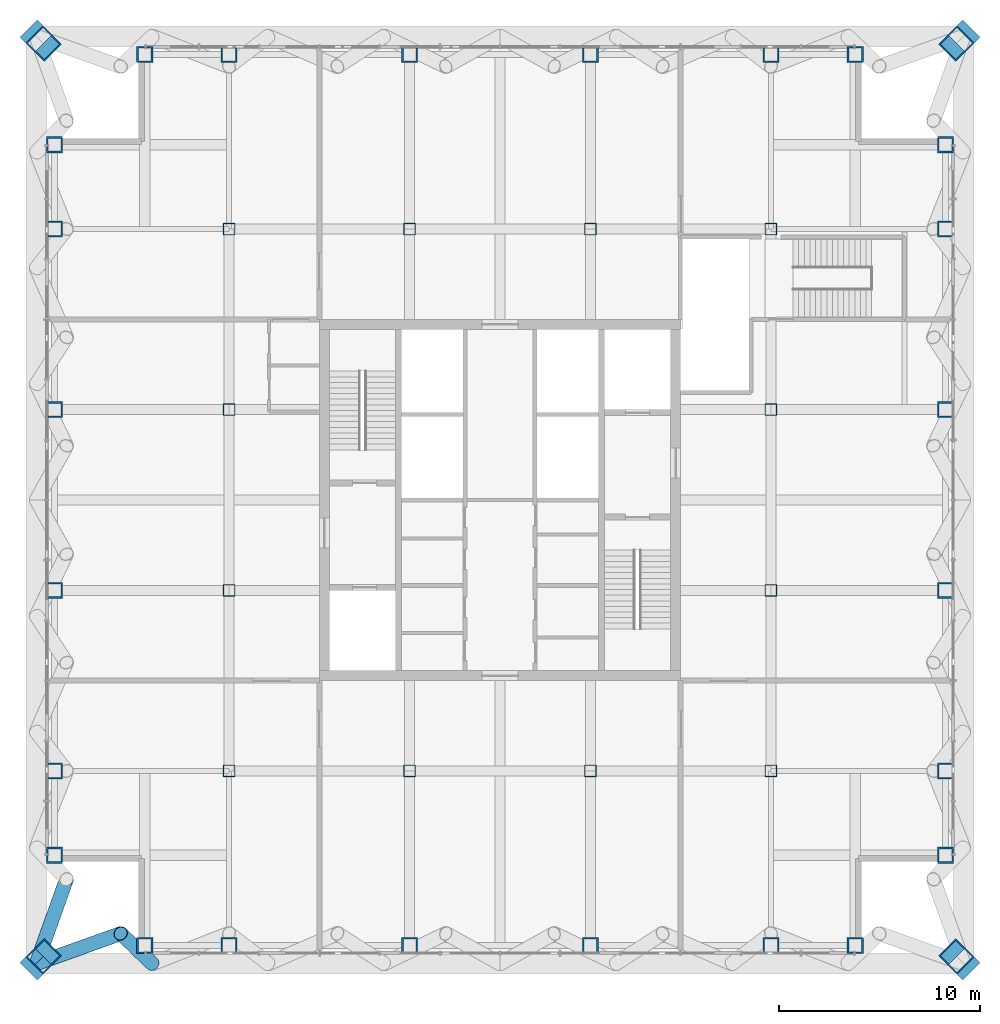
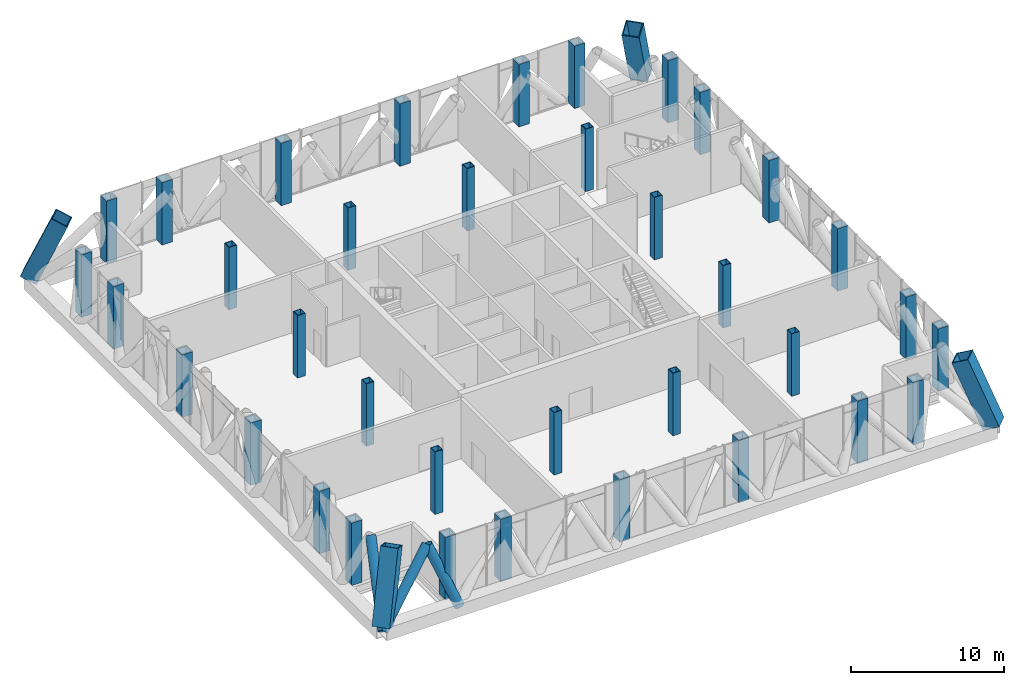
# One storey, part 1 of 27: 40 columns, 3 members.
"""IFC4 building model written with IfcOpenShell, lengths in metres."""

import ifcopenshell
import ifcopenshell.guid

model = None  # the IFC model being written
_history = None  # IfcOwnerHistory: only IFC2X3 demands one
_inside = {}  # id of a spatial element -> (the spatial element, [elements in it])
_under = {}  # id of a project, library or spatial element -> (it, [spatial elements below it])
_declared = {}  # id of a project -> (the project, [libraries it declares])
_typed = {}  # id of a type object -> (the type object, [elements of that type])
_made_of = {}  # id of a material, layer set ... -> (it, [elements and type objects made of it])


def new_model(schema):
    """Start an empty IFC model of exactly this schema.

    Asked for "IFC4X3", IfcOpenShell would pick the latest addendum, in which some entities
    have other attributes; the version numbers below select the first issue.
    IFC2X3 requires an IfcOwnerHistory on every rooted entity: one is made here for all.
    """
    global model, _history
    if schema == "IFC4X3":
        model = ifcopenshell.file(schema_version=(4, 3, 0, 0))
    else:
        model = ifcopenshell.file(schema=schema)
    _inside.clear()
    _under.clear()
    _declared.clear()
    _typed.clear()
    _made_of.clear()
    _history = None
    if model.schema == "IFC2X3":
        org = make("IfcOrganization", Name="unknown")
        user = make(
            "IfcPersonAndOrganization",
            ThePerson=make("IfcPerson", FamilyName="unknown"),
            TheOrganization=org,
        )
        app = make(
            "IfcApplication",
            ApplicationDeveloper=org,
            Version="unknown",
            ApplicationFullName="unknown",
            ApplicationIdentifier="unknown",
        )
        _history = make(
            "IfcOwnerHistory",
            OwningUser=user,
            OwningApplication=app,
            ChangeAction="ADDED",
            CreationDate=0,
        )
    return model


def make(cls, **values):
    """One entity of the class cls with the attributes given. An attribute that is None is left unset."""
    return model.create_entity(
        cls, **{name: value for name, value in values.items() if value is not None}
    )


def rooted(cls, **values):
    """An entity with a GlobalId (a new one), such as an element, a storey or a relation."""
    return make(cls, GlobalId=ifcopenshell.guid.new(), OwnerHistory=_history, **values)


def si_unit(unit_type, name, prefix=None):
    """IfcSIUnit, for example si_unit("LENGTHUNIT", "METRE", prefix="MILLI")."""
    return make("IfcSIUnit", UnitType=unit_type, Prefix=prefix, Name=name)


def assignment(units):
    """IfcUnitAssignment: the units of a project."""
    return None if units is None else make("IfcUnitAssignment", Units=units)


def point(xyz):
    """IfcCartesianPoint."""
    return None if xyz is None else make("IfcCartesianPoint", Coordinates=xyz)


def direction(xyz):
    """IfcDirection."""
    return None if xyz is None else make("IfcDirection", DirectionRatios=xyz)


def frame(location, z_axis=None, x_axis=None):
    """IfcAxis2Placement3D, a coordinate frame: its origin and axes. An axis left out is left unset."""
    return make(
        "IfcAxis2Placement3D",
        Location=point(location),
        Axis=direction(z_axis),
        RefDirection=direction(x_axis),
    )


def frame_2d(location, x_axis=None):
    """IfcAxis2Placement2D, a coordinate frame in the plane: its origin and x axis."""
    return make(
        "IfcAxis2Placement2D", Location=point(location), RefDirection=direction(x_axis)
    )


def origin():
    """The frame at (0, 0, 0) with its axes left unset."""
    return frame((0.0, 0.0, 0.0))


def origin_2d():
    """The frame at (0, 0) in the plane with its x axis left unset."""
    return frame_2d((0.0, 0.0))


def place(relative_to, where):
    """IfcLocalPlacement: puts the frame where relative to a parent placement (None: the world)."""
    return make(
        "IfcLocalPlacement", PlacementRelTo=relative_to, RelativePlacement=where
    )


def context(
    kind, dimensions, precision=None, world=None, true_north=None, identifier=None
):
    """IfcGeometricRepresentationContext, for example the 3D "Model" context."""
    return make(
        "IfcGeometricRepresentationContext",
        ContextIdentifier=identifier,
        ContextType=kind,
        CoordinateSpaceDimension=dimensions,
        Precision=precision,
        WorldCoordinateSystem=world,
        TrueNorth=true_north,
    )


def subcontext(parent, identifier, kind, view, scale=None):
    """IfcGeometricRepresentationSubContext, for example "Body" below "Model"."""
    return make(
        "IfcGeometricRepresentationSubContext",
        ContextIdentifier=identifier,
        ContextType=kind,
        ParentContext=parent,
        TargetScale=scale,
        TargetView=view,
    )


def project(units=None, contexts=None):
    """IfcProject with its units and contexts."""
    return rooted(
        "IfcProject",
        Name="project",
        RepresentationContexts=contexts,
        UnitsInContext=assignment(units),
    )


def spatial(cls, under=None, at=None, **own):
    """A site, building, storey or space (cls), placed at a placement, below another one or the project."""
    s = rooted(cls, ObjectPlacement=at, **own)
    if under is not None:
        _under.setdefault(under.id(), (under, []))[1].append(s)
    return s


def profile(cls, at=None, kind="AREA", **sizes):
    """A parametric profile (cls). Its sizes go by their IFC names, for example OverallWidth=200.0."""
    return make(cls, ProfileType=kind, Position=at, **sizes)


def hollow_rectangle(**sizes):
    """IfcRectangleHollowProfileDef."""
    return profile("IfcRectangleHollowProfileDef", **sizes)


def hollow_circle(**sizes):
    """IfcCircleHollowProfileDef."""
    return profile("IfcCircleHollowProfileDef", **sizes)


def extrude(swept, where, along, depth):
    """IfcExtrudedAreaSolid: the profile swept, set in the frame where, extruded along a direction by depth."""
    return make(
        "IfcExtrudedAreaSolid",
        SweptArea=swept,
        Position=where,
        ExtrudedDirection=direction(along),
        Depth=depth,
    )


def shape(context_of_items, identifier, shape_type, items):
    """IfcShapeRepresentation: the items that make up one representation, for example the "Body"."""
    return make(
        "IfcShapeRepresentation",
        ContextOfItems=context_of_items,
        RepresentationIdentifier=identifier,
        RepresentationType=shape_type,
        Items=items,
    )


def material(Name=None, Category=None):
    """IfcMaterial."""
    return make("IfcMaterial", Name=Name, Category=Category)


def material_profile(
    of_material, cross_section, Name=None, Category=None, Priority=None
):
    """IfcMaterialProfile: a cross section and its material."""
    return make(
        "IfcMaterialProfile",
        Name=Name,
        Material=of_material,
        Profile=cross_section,
        Priority=Priority,
        Category=Category,
    )


def profile_set(profiles, Name=None, composite=None):
    """IfcMaterialProfileSet."""
    return make(
        "IfcMaterialProfileSet",
        Name=Name,
        MaterialProfiles=profiles,
        CompositeProfile=composite,
    )


def made_of(thing, what):
    """Note that an element or type object is made of a material, layer set ...; save() writes the relation."""
    if what is not None:
        _made_of.setdefault(what.id(), (what, []))[1].append(thing)
    return thing


def type_object(cls, material=None, **own):
    """A type object (cls), such as IfcWallType, which elements share."""
    return made_of(rooted(cls, **own), material)


def element(
    cls,
    number,
    at=None,
    inside=None,
    cuts=None,
    type_object=None,
    material=None,
    context=None,
    identifier="Body",
    shape_type=None,
    held_by="IfcProductDefinitionShape",
    body=None,
    shapes=None,
    **own,
):
    """One element of the class cls, such as IfcWall. Its Tag is "e" and its number.

    at: its placement. inside: the storey or other place that contains it. cuts: it is an
    opening in that element (IfcRelVoidsElement). A single representation is given by context,
    identifier, shape_type and body (its items); several are given by shapes. held_by: the class
    of the entity that holds the representations. save() writes the other relations.
    """
    e = rooted(cls, Tag="e%d" % number, ObjectPlacement=at, **own)
    if body is not None:
        shapes = [shape(context, identifier, shape_type, body)]
    if shapes is not None:
        e.Representation = make(held_by, Representations=shapes)
    if inside is not None:
        _inside.setdefault(inside.id(), (inside, []))[1].append(e)
    if cuts is not None:
        rooted(
            "IfcRelVoidsElement", RelatingBuildingElement=cuts, RelatedOpeningElement=e
        )
    if type_object is not None:
        _typed.setdefault(type_object.id(), (type_object, []))[1].append(e)
    return made_of(e, material)


def aggregate(whole, parts):
    """IfcRelAggregates: a whole, such as a stair, and the parts it consists of."""
    return rooted("IfcRelAggregates", RelatingObject=whole, RelatedObjects=parts)


def save(model, path):
    """Write the relations noted so far, then the file.

    IfcRelAggregates (storeys below a building ...), IfcRelContainedInSpatialStructure (elements
    in a storey), IfcRelDefinesByType, IfcRelAssociatesMaterial and IfcRelDeclares: one each for
    every whole, place, type object, material and project.
    """
    for whole, parts in _under.values():
        aggregate(whole, parts)
    for where, things in _inside.values():
        rooted(
            "IfcRelContainedInSpatialStructure",
            RelatedElements=things,
            RelatingStructure=where,
        )
    for kind, things in _typed.values():
        rooted("IfcRelDefinesByType", RelatedObjects=things, RelatingType=kind)
    for what, things in _made_of.values():
        rooted("IfcRelAssociatesMaterial", RelatedObjects=things, RelatingMaterial=what)
    for by, libraries in _declared.values():
        rooted("IfcRelDeclares", RelatingContext=by, RelatedDefinitions=libraries)
    model.write(path)


model = new_model("IFC4")

# Units and contexts
model_context = context("Model", 3, precision=1e-05, world=origin(), true_north=direction((0.0, 1.0)))
body_context = subcontext(model_context, "Body", "Model", "MODEL_VIEW")
ifc_project = project(units=[si_unit("LENGTHUNIT", "METRE"), si_unit("AREAUNIT", "SQUARE_METRE"), si_unit("VOLUMEUNIT", "CUBIC_METRE"), si_unit("PLANEANGLEUNIT", "RADIAN"), si_unit("MASSUNIT", "GRAM", prefix="KILO")], contexts=[model_context])

# Site, building, storey
site_placement = place(None, origin())
site = spatial("IfcSite", under=ifc_project, at=site_placement, CompositionType="ELEMENT")
building_placement = place(site_placement, origin())
building = spatial("IfcBuilding", under=site, at=building_placement, Name="Malebo Sky Hospital", CompositionType="ELEMENT")
storey_placement = place(building_placement, frame((0.0, 0.0, 245.0)))
storey = spatial("IfcBuildingStorey", under=building, at=storey_placement, Name="L59", CompositionType="ELEMENT", Elevation=245.0)

# Columns
ifc_material = material(Name="Steel S460", Category="steel")
ifc_material_profile_1 = material_profile(ifc_material, hollow_rectangle(XDim=0.60009765625, YDim=0.60009765625, WallThickness=0.0400390625, at=origin_2d()), Name="BOX 600x600x40")
ifc_profile_set_1 = profile_set([ifc_material_profile_1], Name="Steel S460")
column_type_1 = type_object("IfcColumnType", Name="INNER COLUMN BOX 600x600x40", PredefinedType="COLUMN", material=ifc_profile_set_1)
for number, where, z_axis, x_axis, name in (
    (1, (46.5, 48.5, 0.0), (0.0, 0.0, 1.0), (1.0, 0.0, 0.0), "Column IC4 L59"),
    (2, (73.5, 48.5, 0.0), (0.0, 0.0, 1.0), (1.0, 0.0, 0.0), "Column IC4 L59"),
    (3, (73.5, 75.5, 0.0), (0.0, 0.0, 1.0), (1.0, 0.0, 0.0), "Column IC4 L59"),
    (4, (46.5, 75.5, 0.0), (0.0, 0.0, 1.0), (1.0, 0.0, 0.0), "Column IC4 L59"),
    (5, (55.5, 48.5, 0.0), (0.0, 0.0, 1.0), (1.0, 0.0, 0.0), "Column IC4 L59"),
    (6, (64.5, 48.5, 0.0), (0.0, 0.0, 1.0), (1.0, 0.0, 0.0), "Column IC4 L59"),
    (7, (55.5, 75.5, 0.0), (0.0, 0.0, 1.0), (1.0, 0.0, 0.0), "Column IC4 L59"),
    (8, (64.5, 75.5, 0.0), (0.0, 0.0, 1.0), (1.0, 0.0, 0.0), "Column IC4 L59"),
    (9, (46.5, 57.5, 0.0), (0.0, 0.0, 1.0), (1.0, 0.0, 0.0), "Column IC4 L59"),
    (10, (46.5, 66.5, 0.0), (0.0, 0.0, 1.0), (1.0, 0.0, 0.0), "Column IC4 L59"),
    (11, (73.5, 57.5, 0.0), (0.0, 0.0, 1.0), (1.0, 0.0, 0.0), "Column IC4 L59"),
    (12, (73.5, 66.5, 0.0), (0.0, 0.0, 1.0), (1.0, 0.0, 0.0), "Column IC4 L59"),
):
    element("IfcColumn", number, at=place(storey_placement, frame(where, z_axis=z_axis, x_axis=x_axis)), inside=storey, type_object=column_type_1, Name=name, PredefinedType="COLUMN", context=body_context, shape_type="SweptSolid", body=[
        extrude(hollow_rectangle(XDim=0.60009765625, YDim=0.60009765625, WallThickness=0.0400390625, at=origin_2d()), origin(), (0.0, 0.0, 1.0), 5.0),
    ])
ifc_material_profile_2 = material_profile(ifc_material, hollow_rectangle(XDim=1.199951171875, YDim=1.199951171875, WallThickness=0.070068359375, at=origin_2d()), Name="BOX 1200x1200x70")
ifc_profile_set_2 = profile_set([ifc_material_profile_2], Name="Steel S460")
column_type_2 = type_object("IfcColumnType", Name="MEGA COLUMN BOX 1200x1200x70", PredefinedType="COLUMN", material=ifc_profile_set_2)
for number, where, z_axis, x_axis, name in (
    (13, (36.89990234375, 38.89990234375, 0.0), (0.276172385369, 0.276172385369, 0.920574617898), (-0.707106781187, 0.707106781187, 0.0), "Mega column SW L59"),
    (14, (83.10009765625, 38.89990234375, 0.0), (-0.276172385369, 0.276172385369, 0.920574617898), (-0.707106781187, -0.707106781187, 0.0), "Mega column SE L59"),
    (15, (83.10009765625, 85.10009765625, 0.0), (-0.276172385369, -0.276172385369, 0.920574617898), (0.707106781187, -0.707106781187, 0.0), "Mega column NE L59"),
    (16, (36.89990234375, 85.10009765625, 0.0), (0.276172385369, -0.276172385369, 0.920574617898), (0.707106781187, 0.707106781187, 0.0), "Mega column NW L59"),
):
    element("IfcColumn", number, at=place(storey_placement, frame(where, z_axis=z_axis, x_axis=x_axis)), inside=storey, type_object=column_type_2, Name=name, PredefinedType="COLUMN", context=body_context, shape_type="SweptSolid", body=[
        extrude(hollow_rectangle(XDim=1.199951171875, YDim=1.199951171875, WallThickness=0.070068359375, at=origin_2d()), origin(), (0.0, 0.0, 1.0), 5.431396484375),
    ])
ifc_material_profile_3 = material_profile(ifc_material, hollow_rectangle(XDim=0.800048828125, YDim=0.800048828125, WallThickness=0.080078125, at=origin_2d()), Name="BOX 800x800x80")
ifc_profile_set_3 = profile_set([ifc_material_profile_3], Name="Steel S460")
column_type_3 = type_object("IfcColumnType", Name="PERIMETER COLUMN BOX 800x800x80", PredefinedType="COLUMN", material=ifc_profile_set_3)
for number, where, z_axis, x_axis, name in (
    (17, (42.300048828125, 39.800048828125, 0.0), (0.0, 0.0, 1.0), (1.0, 0.0, 0.0), "Column PC7 L59"),
    (18, (42.300048828125, 84.199951171875, 0.0), (0.0, 0.0, 1.0), (1.0, 0.0, 0.0), "Column PC7 L59"),
    (19, (37.800048828125, 44.300048828125, 0.0), (0.0, 0.0, 1.0), (1.0, 0.0, 0.0), "Column PC7 L59"),
    (20, (82.199951171875, 44.300048828125, 0.0), (0.0, 0.0, 1.0), (1.0, 0.0, 0.0), "Column PC7 L59"),
    (21, (46.5, 39.800048828125, 0.0), (0.0, 0.0, 1.0), (1.0, 0.0, 0.0), "Column PC7 L59"),
    (22, (46.5, 84.199951171875, 0.0), (0.0, 0.0, 1.0), (1.0, 0.0, 0.0), "Column PC7 L59"),
    (23, (37.800048828125, 48.5, 0.0), (0.0, 0.0, 1.0), (1.0, 0.0, 0.0), "Column PC7 L59"),
    (24, (82.199951171875, 48.5, 0.0), (0.0, 0.0, 1.0), (1.0, 0.0, 0.0), "Column PC7 L59"),
    (25, (55.5, 39.800048828125, 0.0), (0.0, 0.0, 1.0), (1.0, 0.0, 0.0), "Column PC7 L59"),
    (26, (55.5, 84.199951171875, 0.0), (0.0, 0.0, 1.0), (1.0, 0.0, 0.0), "Column PC7 L59"),
    (27, (37.800048828125, 57.5, 0.0), (0.0, 0.0, 1.0), (1.0, 0.0, 0.0), "Column PC7 L59"),
    (28, (82.199951171875, 57.5, 0.0), (0.0, 0.0, 1.0), (1.0, 0.0, 0.0), "Column PC7 L59"),
    (29, (64.5, 39.800048828125, 0.0), (0.0, 0.0, 1.0), (1.0, 0.0, 0.0), "Column PC7 L59"),
    (30, (64.5, 84.199951171875, 0.0), (0.0, 0.0, 1.0), (1.0, 0.0, 0.0), "Column PC7 L59"),
    (31, (37.800048828125, 66.5, 0.0), (0.0, 0.0, 1.0), (1.0, 0.0, 0.0), "Column PC7 L59"),
    (32, (82.199951171875, 66.5, 0.0), (0.0, 0.0, 1.0), (1.0, 0.0, 0.0), "Column PC7 L59"),
    (33, (73.5, 39.800048828125, 0.0), (0.0, 0.0, 1.0), (1.0, 0.0, 0.0), "Column PC7 L59"),
    (34, (73.5, 84.199951171875, 0.0), (0.0, 0.0, 1.0), (1.0, 0.0, 0.0), "Column PC7 L59"),
    (35, (37.800048828125, 75.5, 0.0), (0.0, 0.0, 1.0), (1.0, 0.0, 0.0), "Column PC7 L59"),
    (36, (82.199951171875, 75.5, 0.0), (0.0, 0.0, 1.0), (1.0, 0.0, 0.0), "Column PC7 L59"),
    (37, (77.699951171875, 39.800048828125, 0.0), (0.0, 0.0, 1.0), (1.0, 0.0, 0.0), "Column PC7 L59"),
    (38, (77.699951171875, 84.199951171875, 0.0), (0.0, 0.0, 1.0), (1.0, 0.0, 0.0), "Column PC7 L59"),
    (39, (37.800048828125, 79.699951171875, 0.0), (0.0, 0.0, 1.0), (1.0, 0.0, 0.0), "Column PC7 L59"),
    (40, (82.199951171875, 79.699951171875, 0.0), (0.0, 0.0, 1.0), (1.0, 0.0, 0.0), "Column PC7 L59"),
):
    element("IfcColumn", number, at=place(storey_placement, frame(where, z_axis=z_axis, x_axis=x_axis)), inside=storey, type_object=column_type_3, Name=name, PredefinedType="COLUMN", context=body_context, shape_type="SweptSolid", body=[
        extrude(hollow_rectangle(XDim=0.800048828125, YDim=0.800048828125, WallThickness=0.080078125, at=origin_2d()), origin(), (0.0, 0.0, 1.0), 5.0),
    ])

# Members
ifc_material_profile_4 = material_profile(ifc_material, hollow_circle(Radius=0.35546875, WallThickness=0.02490234375, at=origin_2d()), Name="CHS 711x25")
ifc_profile_set_4 = profile_set([ifc_material_profile_4], Name="Steel S460")
member_type = type_object("IfcMemberType", Name="BELT TRUSS DIAGONAL CHS 711x25", PredefinedType="BRACE", material=ifc_profile_set_4)
member_1_placement = place(storey_placement, frame((36.89990234375, 38.89990234375, -0.39990234375), z_axis=(0.659245717391, 0.235433950689, 0.714118994961), x_axis=(-0.336322526194, 0.941746865338, 0.0)))
element("IfcMember", 41, at=member_1_placement, inside=storey, type_object=member_type, Name="Belt truss diagonal S1.1 L59", PredefinedType="BRACE", context=body_context, shape_type="SweptSolid", body=[
    extrude(hollow_circle(Radius=0.35546875, WallThickness=0.02490234375, at=origin_2d()), origin(), (0.0, 0.0, 1.0), 6.37109375),
])
member_2_placement = place(storey_placement, frame((41.10009765625, 40.39990234375, 4.14990234375), z_axis=(0.312308438875, -0.297445829863, -0.90221362066), x_axis=(0.689666384023, 0.724127253146, 0.0)))
element("IfcMember", 42, at=member_2_placement, inside=storey, type_object=member_type, Name="Belt truss diagonal S1.2 L59", PredefinedType="BRACE", context=body_context, shape_type="SweptSolid", body=[
    extrude(hollow_circle(Radius=0.35546875, WallThickness=0.02490234375, at=origin_2d()), origin(), (0.0, 0.0, 1.0), 5.04296875),
])
member_3_placement = place(storey_placement, frame((38.39990234375, 43.10009765625, 4.14990234375), z_axis=(-0.235433950689, -0.659245717391, -0.714118994961), x_axis=(0.941746865338, -0.336322526194, 0.0)))
element("IfcMember", 43, at=member_3_placement, inside=storey, type_object=member_type, Name="Belt truss diagonal W8.2 L59", PredefinedType="BRACE", context=body_context, shape_type="SweptSolid", body=[
    extrude(hollow_circle(Radius=0.35546875, WallThickness=0.02490234375, at=origin_2d()), origin(), (0.0, 0.0, 1.0), 6.37109375),
])

save(model, "model.ifc")
